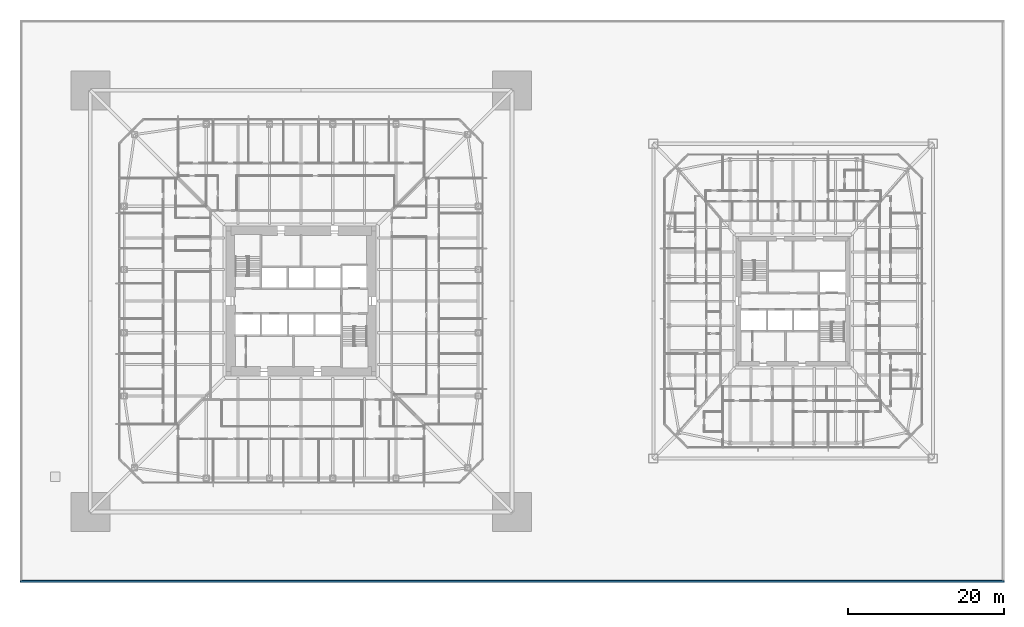
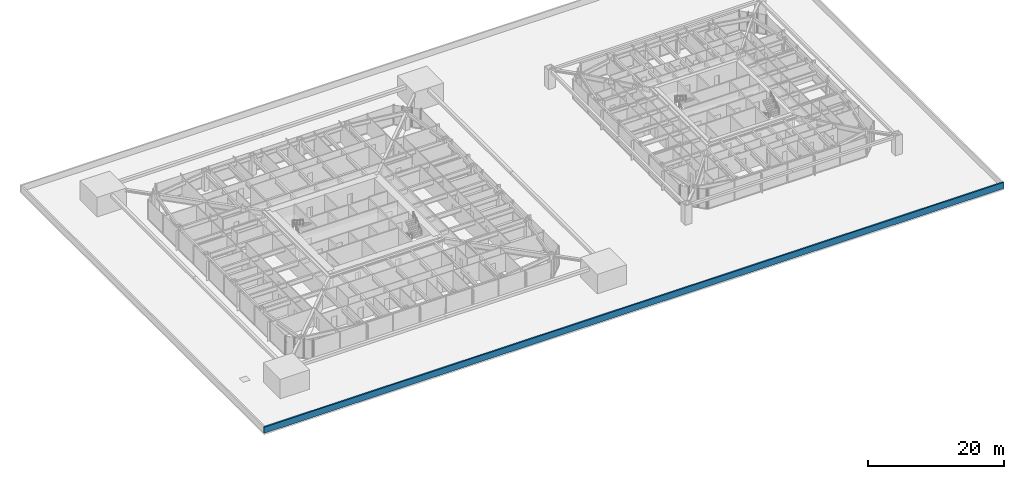
# One storey, part 17 of 31: 1 wall.
"""IFC4 building model written with IfcOpenShell, lengths in metres."""

from ifc_helpers import new_model, si_unit, direction, frame, frame_2d, origin, place, context, subcontext, project, spatial, rectangle, extrude, material, layer, layer_set, type_object, element, save


model = new_model("IFC4")

# Units and contexts
model_context = context("Model", 3, precision=1e-05, world=origin(), true_north=direction((0.0, 1.0)))
body_context = subcontext(model_context, "Body", "Model", "MODEL_VIEW")
ifc_project = project(units=[si_unit("LENGTHUNIT", "METRE"), si_unit("AREAUNIT", "SQUARE_METRE"), si_unit("VOLUMEUNIT", "CUBIC_METRE"), si_unit("PLANEANGLEUNIT", "RADIAN"), si_unit("MASSUNIT", "GRAM", prefix="KILO")], contexts=[model_context])

# Site, building, storey
site_placement = place(None, origin())
site = spatial("IfcSite", under=ifc_project, at=site_placement, CompositionType="ELEMENT")
building_placement = place(site_placement, origin())
building = spatial("IfcBuilding", under=site, at=building_placement, Name="Iwan Alto Co-Living Towers", CompositionType="ELEMENT")
storey_placement = place(building_placement, frame((0.0, 0.0, 15.0)))
storey = spatial("IfcBuildingStorey", under=building, at=storey_placement, Name="L03", CompositionType="ELEMENT", Elevation=15.0)

# Wall
ifc_material = material(Name="Fired clay brick masonry", Category="masonry")
ifc_layer = layer(ifc_material, 0.25)
ifc_layer_set = layer_set([ifc_layer], Name="PARAPET WALL 250")
wall_type = type_object("IfcWallType", Name="PARAPET WALL 250", PredefinedType="PARAPET", material=ifc_layer_set)
wall_placement = place(storey_placement, frame((-36.0, -35.875, 0.0), z_axis=(0.0, 0.0, 1.0), x_axis=(1.0, 0.0, 0.0)))
element("IfcWall", 1, at=wall_placement, inside=storey, type_object=wall_type, Name="Podium parapet S", PredefinedType="PARAPET", context=body_context, shape_type="SweptSolid", body=[
    extrude(rectangle(XDim=126.0, YDim=0.25, at=frame_2d((63.0, 0.0))), origin(), (0.0, 0.0, 1.0), 1.10009765625),
])

save(model, "model.ifc")
